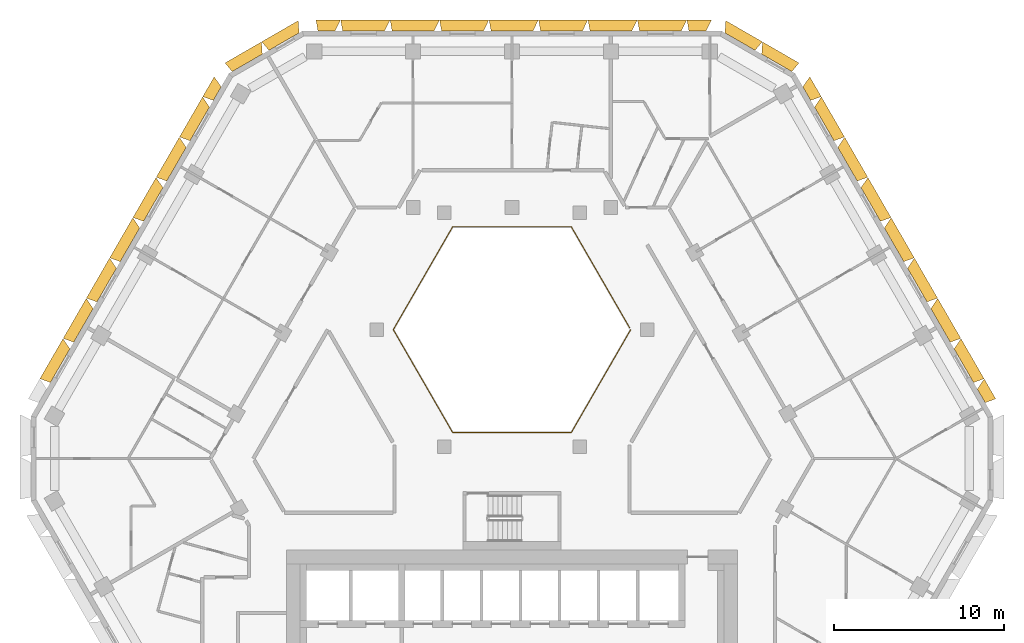
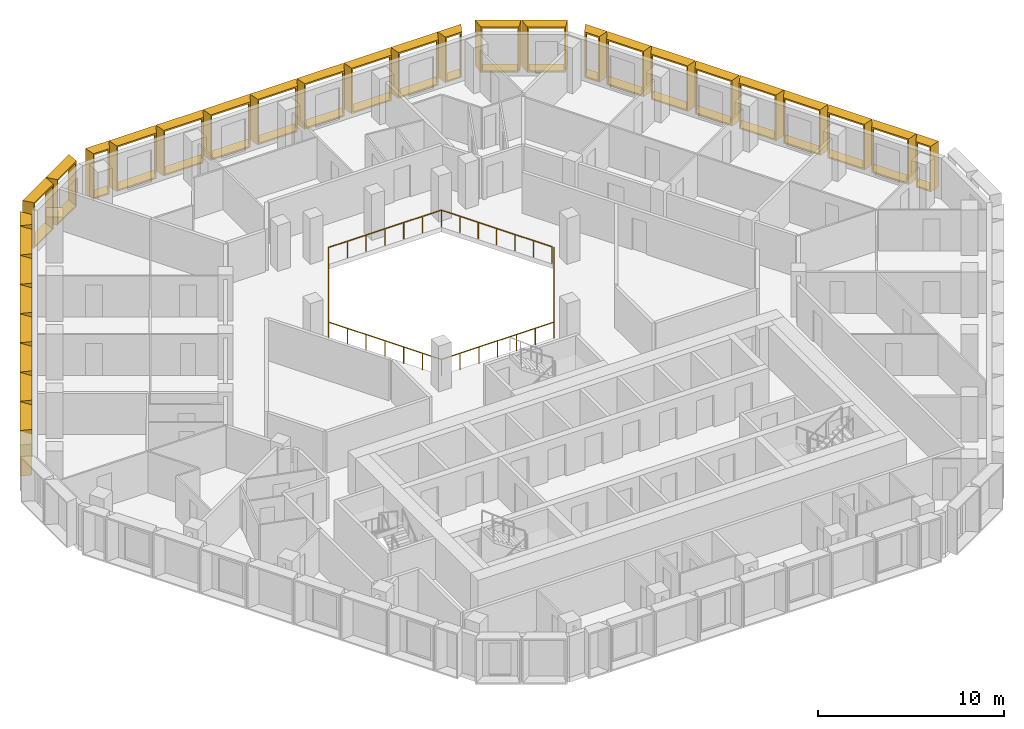
# One storey, part 15 of 15: 30 shading devices, 1 railing.
"""IFC4 building model written with IfcOpenShell, lengths in metres."""

import ifcopenshell
import ifcopenshell.guid

model = None  # the IFC model being written
_history = None  # IfcOwnerHistory: only IFC2X3 demands one
_inside = {}  # id of a spatial element -> (the spatial element, [elements in it])
_under = {}  # id of a project, library or spatial element -> (it, [spatial elements below it])
_declared = {}  # id of a project -> (the project, [libraries it declares])
_typed = {}  # id of a type object -> (the type object, [elements of that type])
_made_of = {}  # id of a material, layer set ... -> (it, [elements and type objects made of it])


def new_model(schema):
    """Start an empty IFC model of exactly this schema.

    Asked for "IFC4X3", IfcOpenShell would pick the latest addendum, in which some entities
    have other attributes; the version numbers below select the first issue.
    IFC2X3 requires an IfcOwnerHistory on every rooted entity: one is made here for all.
    """
    global model, _history
    if schema == "IFC4X3":
        model = ifcopenshell.file(schema_version=(4, 3, 0, 0))
    else:
        model = ifcopenshell.file(schema=schema)
    _inside.clear()
    _under.clear()
    _declared.clear()
    _typed.clear()
    _made_of.clear()
    _history = None
    if model.schema == "IFC2X3":
        org = make("IfcOrganization", Name="unknown")
        user = make(
            "IfcPersonAndOrganization",
            ThePerson=make("IfcPerson", FamilyName="unknown"),
            TheOrganization=org,
        )
        app = make(
            "IfcApplication",
            ApplicationDeveloper=org,
            Version="unknown",
            ApplicationFullName="unknown",
            ApplicationIdentifier="unknown",
        )
        _history = make(
            "IfcOwnerHistory",
            OwningUser=user,
            OwningApplication=app,
            ChangeAction="ADDED",
            CreationDate=0,
        )
    return model


def make(cls, **values):
    """One entity of the class cls with the attributes given. An attribute that is None is left unset."""
    return model.create_entity(
        cls, **{name: value for name, value in values.items() if value is not None}
    )


def entity(cls, *values):
    """Any entity or typed value of the class cls, its attributes in the order of the schema. None: left unset."""
    e = model.create_entity(cls)
    for i, value in enumerate(values):
        if value is not None:
            e[i] = value
    return e


def rooted(cls, **values):
    """An entity with a GlobalId (a new one), such as an element, a storey or a relation."""
    return make(cls, GlobalId=ifcopenshell.guid.new(), OwnerHistory=_history, **values)


def si_unit(unit_type, name, prefix=None):
    """IfcSIUnit, for example si_unit("LENGTHUNIT", "METRE", prefix="MILLI")."""
    return make("IfcSIUnit", UnitType=unit_type, Prefix=prefix, Name=name)


def assignment(units):
    """IfcUnitAssignment: the units of a project."""
    return None if units is None else make("IfcUnitAssignment", Units=units)


def point(xyz):
    """IfcCartesianPoint."""
    return None if xyz is None else make("IfcCartesianPoint", Coordinates=xyz)


def direction(xyz):
    """IfcDirection."""
    return None if xyz is None else make("IfcDirection", DirectionRatios=xyz)


def frame(location, z_axis=None, x_axis=None):
    """IfcAxis2Placement3D, a coordinate frame: its origin and axes. An axis left out is left unset."""
    return make(
        "IfcAxis2Placement3D",
        Location=point(location),
        Axis=direction(z_axis),
        RefDirection=direction(x_axis),
    )


def frame_2d(location, x_axis=None):
    """IfcAxis2Placement2D, a coordinate frame in the plane: its origin and x axis."""
    return make(
        "IfcAxis2Placement2D", Location=point(location), RefDirection=direction(x_axis)
    )


def origin():
    """The frame at (0, 0, 0) with its axes left unset."""
    return frame((0.0, 0.0, 0.0))


def origin_2d():
    """The frame at (0, 0) in the plane with its x axis left unset."""
    return frame_2d((0.0, 0.0))


def place(relative_to, where):
    """IfcLocalPlacement: puts the frame where relative to a parent placement (None: the world)."""
    return make(
        "IfcLocalPlacement", PlacementRelTo=relative_to, RelativePlacement=where
    )


def context(
    kind, dimensions, precision=None, world=None, true_north=None, identifier=None
):
    """IfcGeometricRepresentationContext, for example the 3D "Model" context."""
    return make(
        "IfcGeometricRepresentationContext",
        ContextIdentifier=identifier,
        ContextType=kind,
        CoordinateSpaceDimension=dimensions,
        Precision=precision,
        WorldCoordinateSystem=world,
        TrueNorth=true_north,
    )


def subcontext(parent, identifier, kind, view, scale=None):
    """IfcGeometricRepresentationSubContext, for example "Body" below "Model"."""
    return make(
        "IfcGeometricRepresentationSubContext",
        ContextIdentifier=identifier,
        ContextType=kind,
        ParentContext=parent,
        TargetScale=scale,
        TargetView=view,
    )


def project(units=None, contexts=None):
    """IfcProject with its units and contexts."""
    return rooted(
        "IfcProject",
        Name="project",
        RepresentationContexts=contexts,
        UnitsInContext=assignment(units),
    )


def spatial(cls, under=None, at=None, **own):
    """A site, building, storey or space (cls), placed at a placement, below another one or the project."""
    s = rooted(cls, ObjectPlacement=at, **own)
    if under is not None:
        _under.setdefault(under.id(), (under, []))[1].append(s)
    return s


def profile(cls, at=None, kind="AREA", **sizes):
    """A parametric profile (cls). Its sizes go by their IFC names, for example OverallWidth=200.0."""
    return make(cls, ProfileType=kind, Position=at, **sizes)


def rectangle(**sizes):
    """IfcRectangleProfileDef."""
    return profile("IfcRectangleProfileDef", **sizes)


def extrude(swept, where, along, depth):
    """IfcExtrudedAreaSolid: the profile swept, set in the frame where, extruded along a direction by depth."""
    return make(
        "IfcExtrudedAreaSolid",
        SweptArea=swept,
        Position=where,
        ExtrudedDirection=direction(along),
        Depth=depth,
    )


def shape(context_of_items, identifier, shape_type, items):
    """IfcShapeRepresentation: the items that make up one representation, for example the "Body"."""
    return make(
        "IfcShapeRepresentation",
        ContextOfItems=context_of_items,
        RepresentationIdentifier=identifier,
        RepresentationType=shape_type,
        Items=items,
    )


def source(mapping_origin, context_of_items, identifier, shape_type, items):
    """IfcRepresentationMap: a shape defined once, which mapped items show again and again."""
    return make(
        "IfcRepresentationMap",
        MappingOrigin=mapping_origin,
        MappedRepresentation=shape(context_of_items, identifier, shape_type, items),
    )


def transform(
    local_origin,
    x_axis=None,
    y_axis=None,
    z_axis=None,
    scale=None,
    scale2=None,
    scale3=None,
    uniform=True,
):
    """IfcCartesianTransformationOperator3D, or its non-uniform kind. x_axis, y_axis, z_axis: its Axis1, 2, 3."""
    if uniform:
        return make(
            "IfcCartesianTransformationOperator3D",
            Axis1=direction(x_axis),
            Axis2=direction(y_axis),
            LocalOrigin=point(local_origin),
            Scale=scale,
            Axis3=direction(z_axis),
        )
    return make(
        "IfcCartesianTransformationOperator3DnonUniform",
        Axis1=direction(x_axis),
        Axis2=direction(y_axis),
        LocalOrigin=point(local_origin),
        Scale=scale,
        Axis3=direction(z_axis),
        Scale2=scale2,
        Scale3=scale3,
    )


def mapped(mapping_source, mapping_target):
    """IfcMappedItem: shows the shape of a source again, moved by a transform."""
    return make(
        "IfcMappedItem", MappingSource=mapping_source, MappingTarget=mapping_target
    )


def material(Name=None, Category=None):
    """IfcMaterial."""
    return make("IfcMaterial", Name=Name, Category=Category)


def made_of(thing, what):
    """Note that an element or type object is made of a material, layer set ...; save() writes the relation."""
    if what is not None:
        _made_of.setdefault(what.id(), (what, []))[1].append(thing)
    return thing


def type_object(cls, material=None, **own):
    """A type object (cls), such as IfcWallType, which elements share."""
    return made_of(rooted(cls, **own), material)


def type_shapes(of_type, sources):
    """Give a type object the sources (RepresentationMaps) that its elements show as mapped items."""
    of_type.RepresentationMaps = sources


def element(
    cls,
    number,
    at=None,
    inside=None,
    cuts=None,
    type_object=None,
    material=None,
    context=None,
    identifier="Body",
    shape_type=None,
    held_by="IfcProductDefinitionShape",
    body=None,
    shapes=None,
    **own,
):
    """One element of the class cls, such as IfcWall. Its Tag is "e" and its number.

    at: its placement. inside: the storey or other place that contains it. cuts: it is an
    opening in that element (IfcRelVoidsElement). A single representation is given by context,
    identifier, shape_type and body (its items); several are given by shapes. held_by: the class
    of the entity that holds the representations. save() writes the other relations.
    """
    e = rooted(cls, Tag="e%d" % number, ObjectPlacement=at, **own)
    if body is not None:
        shapes = [shape(context, identifier, shape_type, body)]
    if shapes is not None:
        e.Representation = make(held_by, Representations=shapes)
    if inside is not None:
        _inside.setdefault(inside.id(), (inside, []))[1].append(e)
    if cuts is not None:
        rooted(
            "IfcRelVoidsElement", RelatingBuildingElement=cuts, RelatedOpeningElement=e
        )
    if type_object is not None:
        _typed.setdefault(type_object.id(), (type_object, []))[1].append(e)
    return made_of(e, material)


def aggregate(whole, parts):
    """IfcRelAggregates: a whole, such as a stair, and the parts it consists of."""
    return rooted("IfcRelAggregates", RelatingObject=whole, RelatedObjects=parts)


def save(model, path):
    """Write the relations noted so far, then the file.

    IfcRelAggregates (storeys below a building ...), IfcRelContainedInSpatialStructure (elements
    in a storey), IfcRelDefinesByType, IfcRelAssociatesMaterial and IfcRelDeclares: one each for
    every whole, place, type object, material and project.
    """
    for whole, parts in _under.values():
        aggregate(whole, parts)
    for where, things in _inside.values():
        rooted(
            "IfcRelContainedInSpatialStructure",
            RelatedElements=things,
            RelatingStructure=where,
        )
    for kind, things in _typed.values():
        rooted("IfcRelDefinesByType", RelatedObjects=things, RelatingType=kind)
    for what, things in _made_of.values():
        rooted("IfcRelAssociatesMaterial", RelatedObjects=things, RelatingMaterial=what)
    for by, libraries in _declared.values():
        rooted("IfcRelDeclares", RelatingContext=by, RelatedDefinitions=libraries)
    model.write(path)


model = new_model("IFC4")

# Units and contexts
model_context = context("Model", 3, precision=1e-05, world=origin(), true_north=direction((0.0, 1.0)))
body_context = subcontext(model_context, "Body", "Model", "MODEL_VIEW")
ifc_project = project(units=[si_unit("LENGTHUNIT", "METRE"), si_unit("AREAUNIT", "SQUARE_METRE"), si_unit("VOLUMEUNIT", "CUBIC_METRE"), si_unit("PLANEANGLEUNIT", "RADIAN"), si_unit("MASSUNIT", "GRAM", prefix="KILO")], contexts=[model_context])

# Site, building, storey
site_placement = place(None, origin())
site = spatial("IfcSite", under=ifc_project, at=site_placement, CompositionType="ELEMENT")
building_placement = place(site_placement, origin())
building = spatial("IfcBuilding", under=site, at=building_placement, Name="Beryl Residences", CompositionType="ELEMENT")
storey_placement = place(building_placement, frame((0.0, 0.0, 129.60009765625)))
storey = spatial("IfcBuildingStorey", under=building, at=storey_placement, Name="L39", CompositionType="ELEMENT", Elevation=129.60009765625)

# Railing
ifc_material_1 = material(Name="Stainless steel balustrade with glass infill", Category="steel")
railing_type = type_object("IfcRailingType", Name="EG1 edge guard 1100 mm", PredefinedType="GUARDRAIL", material=ifc_material_1)
railing_placement = place(storey_placement, frame((6.9970703125, 8.0, 0.0)))
element("IfcRailing", 1, at=railing_placement, inside=storey, type_object=railing_type, Name="L39 atrium guard", PredefinedType="GUARDRAIL", context=body_context, shape_type="SweptSolid", body=[
    extrude(rectangle(XDim=0.048095703125, YDim=0.048095703125, at=origin_2d()), frame((0.0, 0.0, 1.076171875), z_axis=(-0.499921796684, -0.866070549782, 0.0), x_axis=(0.866070549782, -0.499921796684, 0.0)), (0.0, 0.0, 1.0), 6.9970703125),
    extrude(rectangle(XDim=0.048095703125, YDim=0.048095703125, at=origin_2d()), frame((-3.498046875, -6.06005859375, 1.076171875), z_axis=(-1.0, 0.0, 0.0), x_axis=(0.0, -1.0, 0.0)), (0.0, 0.0, 1.0), 6.998046875),
    extrude(rectangle(XDim=0.048095703125, YDim=0.048095703125, at=origin_2d()), frame((-10.49609375, -6.06005859375, 1.076171875), z_axis=(-0.499921796684, 0.866070549782, 0.0), x_axis=(-0.866070549782, -0.499921796684, 0.0)), (0.0, 0.0, 1.0), 6.9970703125),
    extrude(rectangle(XDim=0.048095703125, YDim=0.048095703125, at=origin_2d()), frame((-13.994140625, 0.0, 1.076171875), z_axis=(0.499921796684, 0.866070549782, 0.0), x_axis=(-0.866070549782, 0.499921796684, 0.0)), (0.0, 0.0, 1.0), 6.9970703125),
    extrude(rectangle(XDim=0.048095703125, YDim=0.048095703125, at=origin_2d()), frame((-10.49609375, 6.06005859375, 1.076171875), z_axis=(1.0, 0.0, 0.0), x_axis=(0.0, 1.0, 0.0)), (0.0, 0.0, 1.0), 6.998046875),
    extrude(rectangle(XDim=0.048095703125, YDim=0.048095703125, at=origin_2d()), frame((-3.498046875, 6.06005859375, 1.076171875), z_axis=(0.499919131929, -0.866072087953, 0.0), x_axis=(0.866072087953, 0.499919131929, 0.0)), (0.0, 0.0, 1.0), 6.877197265625),
    extrude(rectangle(XDim=0.0419921875, YDim=0.0419921875, at=origin_2d()), origin(), (0.0, 0.0, 1.0), 1.052001953125),
    extrude(rectangle(XDim=0.0419921875, YDim=0.0419921875, at=origin_2d()), frame((-0.5830078125, -1.010009765625, 0.0)), (0.0, 0.0, 1.0), 1.052001953125),
    extrude(rectangle(XDim=0.0419921875, YDim=0.0419921875, at=origin_2d()), frame((-1.166015625, -2.02001953125, 0.0)), (0.0, 0.0, 1.0), 1.052001953125),
    extrude(rectangle(XDim=0.0419921875, YDim=0.0419921875, at=origin_2d()), frame((-1.7490234375, -3.030029296875, 0.0)), (0.0, 0.0, 1.0), 1.052001953125),
    extrude(rectangle(XDim=0.0419921875, YDim=0.0419921875, at=origin_2d()), frame((-2.33203125, -4.0400390625, 0.0)), (0.0, 0.0, 1.0), 1.052001953125),
    extrude(rectangle(XDim=0.0419921875, YDim=0.0419921875, at=origin_2d()), frame((-2.9150390625, -5.050048828125, 0.0)), (0.0, 0.0, 1.0), 1.052001953125),
    extrude(rectangle(XDim=0.0419921875, YDim=0.0419921875, at=origin_2d()), frame((-3.498046875, -6.06005859375, 0.0)), (0.0, 0.0, 1.0), 1.052001953125),
    extrude(rectangle(XDim=0.0419921875, YDim=0.0419921875, at=origin_2d()), frame((-4.664306640625, -6.06005859375, 0.0)), (0.0, 0.0, 1.0), 1.052001953125),
    extrude(rectangle(XDim=0.0419921875, YDim=0.0419921875, at=origin_2d()), frame((-5.830810546875, -6.06005859375, 0.0)), (0.0, 0.0, 1.0), 1.052001953125),
    extrude(rectangle(XDim=0.0419921875, YDim=0.0419921875, at=origin_2d()), frame((-6.9970703125, -6.06005859375, 0.0)), (0.0, 0.0, 1.0), 1.052001953125),
    extrude(rectangle(XDim=0.0419921875, YDim=0.0419921875, at=origin_2d()), frame((-8.163330078125, -6.06005859375, 0.0)), (0.0, 0.0, 1.0), 1.052001953125),
    extrude(rectangle(XDim=0.0419921875, YDim=0.0419921875, at=origin_2d()), frame((-9.329833984375, -6.06005859375, 0.0)), (0.0, 0.0, 1.0), 1.052001953125),
    extrude(rectangle(XDim=0.0419921875, YDim=0.0419921875, at=origin_2d()), frame((-10.49609375, -6.06005859375, 0.0)), (0.0, 0.0, 1.0), 1.052001953125),
    extrude(rectangle(XDim=0.0419921875, YDim=0.0419921875, at=origin_2d()), frame((-11.0791015625, -5.050048828125, 0.0)), (0.0, 0.0, 1.0), 1.052001953125),
    extrude(rectangle(XDim=0.0419921875, YDim=0.0419921875, at=origin_2d()), frame((-11.662109375, -4.0400390625, 0.0)), (0.0, 0.0, 1.0), 1.052001953125),
    extrude(rectangle(XDim=0.0419921875, YDim=0.0419921875, at=origin_2d()), frame((-12.2451171875, -3.030029296875, 0.0)), (0.0, 0.0, 1.0), 1.052001953125),
    extrude(rectangle(XDim=0.0419921875, YDim=0.0419921875, at=origin_2d()), frame((-12.828125, -2.02001953125, 0.0)), (0.0, 0.0, 1.0), 1.052001953125),
    extrude(rectangle(XDim=0.0419921875, YDim=0.0419921875, at=origin_2d()), frame((-13.4111328125, -1.010009765625, 0.0)), (0.0, 0.0, 1.0), 1.052001953125),
    extrude(rectangle(XDim=0.0419921875, YDim=0.0419921875, at=origin_2d()), frame((-13.994140625, 0.0, 0.0)), (0.0, 0.0, 1.0), 1.052001953125),
    extrude(rectangle(XDim=0.0419921875, YDim=0.0419921875, at=origin_2d()), frame((-13.4111328125, 1.010009765625, 0.0)), (0.0, 0.0, 1.0), 1.052001953125),
    extrude(rectangle(XDim=0.0419921875, YDim=0.0419921875, at=origin_2d()), frame((-12.828125, 2.02001953125, 0.0)), (0.0, 0.0, 1.0), 1.052001953125),
    extrude(rectangle(XDim=0.0419921875, YDim=0.0419921875, at=origin_2d()), frame((-12.2451171875, 3.030029296875, 0.0)), (0.0, 0.0, 1.0), 1.052001953125),
    extrude(rectangle(XDim=0.0419921875, YDim=0.0419921875, at=origin_2d()), frame((-11.662109375, 4.0400390625, 0.0)), (0.0, 0.0, 1.0), 1.052001953125),
    extrude(rectangle(XDim=0.0419921875, YDim=0.0419921875, at=origin_2d()), frame((-11.0791015625, 5.050048828125, 0.0)), (0.0, 0.0, 1.0), 1.052001953125),
    extrude(rectangle(XDim=0.0419921875, YDim=0.0419921875, at=origin_2d()), frame((-10.49609375, 6.06005859375, 0.0)), (0.0, 0.0, 1.0), 1.052001953125),
    extrude(rectangle(XDim=0.0419921875, YDim=0.0419921875, at=origin_2d()), frame((-9.329833984375, 6.06005859375, 0.0)), (0.0, 0.0, 1.0), 1.052001953125),
    extrude(rectangle(XDim=0.0419921875, YDim=0.0419921875, at=origin_2d()), frame((-8.163330078125, 6.06005859375, 0.0)), (0.0, 0.0, 1.0), 1.052001953125),
    extrude(rectangle(XDim=0.0419921875, YDim=0.0419921875, at=origin_2d()), frame((-6.9970703125, 6.06005859375, 0.0)), (0.0, 0.0, 1.0), 1.052001953125),
    extrude(rectangle(XDim=0.0419921875, YDim=0.0419921875, at=origin_2d()), frame((-5.830810546875, 6.06005859375, 0.0)), (0.0, 0.0, 1.0), 1.052001953125),
    extrude(rectangle(XDim=0.0419921875, YDim=0.0419921875, at=origin_2d()), frame((-4.664306640625, 6.06005859375, 0.0)), (0.0, 0.0, 1.0), 1.052001953125),
    extrude(rectangle(XDim=0.0419921875, YDim=0.0419921875, at=origin_2d()), frame((-3.498046875, 6.06005859375, 0.0)), (0.0, 0.0, 1.0), 1.052001953125),
    extrude(rectangle(XDim=0.0419921875, YDim=0.0419921875, at=origin_2d()), frame((-2.925048828125, 5.0673828125, 0.0)), (0.0, 0.0, 1.0), 1.052001953125),
    extrude(rectangle(XDim=0.0419921875, YDim=0.0419921875, at=origin_2d()), frame((-2.35205078125, 4.07470703125, 0.0)), (0.0, 0.0, 1.0), 1.052001953125),
    extrude(rectangle(XDim=0.0419921875, YDim=0.0419921875, at=origin_2d()), frame((-1.779052734375, 3.08203125, 0.0)), (0.0, 0.0, 1.0), 1.052001953125),
    extrude(rectangle(XDim=0.0419921875, YDim=0.0419921875, at=origin_2d()), frame((-1.2060546875, 2.08935546875, 0.0)), (0.0, 0.0, 1.0), 1.052001953125),
    extrude(rectangle(XDim=0.0419921875, YDim=0.0419921875, at=origin_2d()), frame((-0.633056640625, 1.0966796875, 0.0)), (0.0, 0.0, 1.0), 1.052001953125),
    extrude(rectangle(XDim=0.0419921875, YDim=0.0419921875, at=origin_2d()), frame((-0.06005859375, 0.10400390625, 0.0)), (0.0, 0.0, 1.0), 1.052001953125),
])

# Shading devices
ifc_material_2 = material(Name="Aluminium pale anodised", Category="aluminium")
shading_device_type_1 = type_object("IfcShadingDeviceType", Name="FR137-65B OUTER SKIN frame 650 mm deep, splay 26/10 deg, 1370 x 3000 mm cell", PredefinedType="USERDEFINED", material=ifc_material_2)
cartesian_point_1 = entity("IfcCartesianPoint", [-0.458984375, 0.0])
cartesian_point_2 = entity("IfcCartesianPoint", [-0.369873046875, 0.10009765625])
cartesian_point_3 = entity("IfcCartesianPoint", [-0.776123046875, 0.0])
cartesian_point_4 = entity("IfcCartesianPoint", [-0.68701171875, 0.10009765625])
shared_shape_1 = source(origin(), body_context, "Body", "SweptSolid", [
    entity("IfcExtrudedAreaSolidTapered", entity("IfcArbitraryProfileDefWithVoids", "AREA", None, entity("IfcPolyline", [cartesian_point_1, entity("IfcCartesianPoint", [0.458984375, 0.0]), entity("IfcCartesianPoint", [0.458984375, 3.0]), entity("IfcCartesianPoint", [-0.458984375, 3.0]), cartesian_point_1]), [entity("IfcPolyline", [cartesian_point_2, entity("IfcCartesianPoint", [0.377685546875, 0.10009765625]), entity("IfcCartesianPoint", [0.377685546875, 2.89990234375]), entity("IfcCartesianPoint", [-0.369873046875, 2.89990234375]), cartesian_point_2])]), entity("IfcAxis2Placement3D", entity("IfcCartesianPoint", [0.0, 0.0, 0.0]), entity("IfcDirection", [0.0, 1.0, 0.0]), entity("IfcDirection", [-1.0, 0.0, 0.0])), entity("IfcDirection", [0.0, 0.0, 1.0]), 0.64990234375, entity("IfcArbitraryProfileDefWithVoids", "AREA", None, entity("IfcPolyline", [cartesian_point_3, entity("IfcCartesianPoint", [0.57373046875, 0.0]), entity("IfcCartesianPoint", [0.57373046875, 3.0]), entity("IfcCartesianPoint", [-0.776123046875, 3.0]), cartesian_point_3]), [entity("IfcPolyline", [cartesian_point_4, entity("IfcCartesianPoint", [0.492431640625, 0.10009765625]), entity("IfcCartesianPoint", [0.492431640625, 2.89990234375]), entity("IfcCartesianPoint", [-0.68701171875, 2.89990234375]), cartesian_point_4])])),
])
type_shapes(shading_device_type_1, [shared_shape_1])
shading_device_placement = place(storey_placement, frame((-17.375, 21.906982421875, 0.0), z_axis=(0.0, 0.0, 1.0), x_axis=(0.5, 0.866025403784, 0.0)))
element("IfcShadingDevice", 2, at=shading_device_placement, inside=storey, type_object=shading_device_type_1, Name="FR137-65B frame L39 NW 1", ObjectType="OUTER SKIN", PredefinedType="USERDEFINED", context=body_context, shape_type="MappedRepresentation", body=[
    mapped(shared_shape_1, transform((0.0, 0.0, 0.0))),
])
ifc_material_3 = material(Name="Aluminium pale anodised", Category="aluminium")
shading_device_type_2 = type_object("IfcShadingDeviceType", Name="FR137-65C OUTER SKIN frame 650 mm deep, splay 10/26 deg, 1370 x 3000 mm cell", PredefinedType="USERDEFINED", material=ifc_material_3)
cartesian_point_5 = entity("IfcCartesianPoint", [-0.458984375, 0.0])
cartesian_point_6 = entity("IfcCartesianPoint", [-0.377685546875, 0.10009765625])
cartesian_point_7 = entity("IfcCartesianPoint", [-0.57373046875, 0.0])
cartesian_point_8 = entity("IfcCartesianPoint", [-0.492431640625, 0.10009765625])
shared_shape_2 = source(origin(), body_context, "Body", "SweptSolid", [
    entity("IfcExtrudedAreaSolidTapered", entity("IfcArbitraryProfileDefWithVoids", "AREA", None, entity("IfcPolyline", [cartesian_point_5, entity("IfcCartesianPoint", [0.458984375, 0.0]), entity("IfcCartesianPoint", [0.458984375, 3.0]), entity("IfcCartesianPoint", [-0.458984375, 3.0]), cartesian_point_5]), [entity("IfcPolyline", [cartesian_point_6, entity("IfcCartesianPoint", [0.369873046875, 0.10009765625]), entity("IfcCartesianPoint", [0.369873046875, 2.89990234375]), entity("IfcCartesianPoint", [-0.377685546875, 2.89990234375]), cartesian_point_6])]), entity("IfcAxis2Placement3D", entity("IfcCartesianPoint", [0.0, 0.0, 0.0]), entity("IfcDirection", [0.0, 1.0, 0.0]), entity("IfcDirection", [-1.0, 0.0, 0.0])), entity("IfcDirection", [0.0, 0.0, 1.0]), 0.64990234375, entity("IfcArbitraryProfileDefWithVoids", "AREA", None, entity("IfcPolyline", [cartesian_point_7, entity("IfcCartesianPoint", [0.776123046875, 0.0]), entity("IfcCartesianPoint", [0.776123046875, 3.0]), entity("IfcCartesianPoint", [-0.57373046875, 3.0]), cartesian_point_7]), [entity("IfcPolyline", [cartesian_point_8, entity("IfcCartesianPoint", [0.68701171875, 0.10009765625]), entity("IfcCartesianPoint", [0.68701171875, 2.89990234375]), entity("IfcCartesianPoint", [-0.492431640625, 2.89990234375]), cartesian_point_8])])),
])
type_shapes(shading_device_type_2, [shared_shape_2])
for number, where, z_axis, x_axis, name in (
    (3, (27.658935546875, 4.093017578125, 0.0), (0.0, 0.0, 1.0), (0.5, -0.866025403784, 0.0), "FR137-65C frame L39 NE 1"),
    (4, (17.375, 21.906982421875, 0.0), (0.0, 0.0, 1.0), (0.5, -0.866025403784, 0.0), "FR137-65C frame L39 NE 9"),
):
    element("IfcShadingDevice", number, at=place(storey_placement, frame(where, z_axis=z_axis, x_axis=x_axis)), inside=storey, type_object=shading_device_type_2, Name=name, ObjectType="OUTER SKIN", PredefinedType="USERDEFINED", context=body_context, shape_type="MappedRepresentation", body=[
        mapped(shared_shape_2, transform((0.0, 0.0, 0.0))),
    ])
ifc_material_4 = material(Name="Aluminium pale anodised", Category="aluminium")
shading_device_type_3 = type_object("IfcShadingDeviceType", Name="FR146-65B OUTER SKIN frame 650 mm deep, splay 26/10 deg, 1460 x 3000 mm cell", PredefinedType="USERDEFINED", material=ifc_material_4)
cartesian_point_9 = entity("IfcCartesianPoint", [-0.50390625, 0.0])
cartesian_point_10 = entity("IfcCartesianPoint", [-0.4150390625, 0.10009765625])
cartesian_point_11 = entity("IfcCartesianPoint", [-0.821044921875, 0.0])
cartesian_point_12 = entity("IfcCartesianPoint", [-0.73193359375, 0.10009765625])
shared_shape_3 = source(origin(), body_context, "Body", "SweptSolid", [
    entity("IfcExtrudedAreaSolidTapered", entity("IfcArbitraryProfileDefWithVoids", "AREA", None, entity("IfcPolyline", [cartesian_point_9, entity("IfcCartesianPoint", [0.50390625, 0.0]), entity("IfcCartesianPoint", [0.50390625, 3.0]), entity("IfcCartesianPoint", [-0.50390625, 3.0]), cartesian_point_9]), [entity("IfcPolyline", [cartesian_point_10, entity("IfcCartesianPoint", [0.4228515625, 0.10009765625]), entity("IfcCartesianPoint", [0.4228515625, 2.89990234375]), entity("IfcCartesianPoint", [-0.4150390625, 2.89990234375]), cartesian_point_10])]), entity("IfcAxis2Placement3D", entity("IfcCartesianPoint", [0.0, 0.0, 0.0]), entity("IfcDirection", [0.0, 1.0, 0.0]), entity("IfcDirection", [-1.0, 0.0, 0.0])), entity("IfcDirection", [0.0, 0.0, 1.0]), 0.64990234375, entity("IfcArbitraryProfileDefWithVoids", "AREA", None, entity("IfcPolyline", [cartesian_point_11, entity("IfcCartesianPoint", [0.61865234375, 0.0]), entity("IfcCartesianPoint", [0.61865234375, 3.0]), entity("IfcCartesianPoint", [-0.821044921875, 3.0]), cartesian_point_11]), [entity("IfcPolyline", [cartesian_point_12, entity("IfcCartesianPoint", [0.537353515625, 0.10009765625]), entity("IfcCartesianPoint", [0.537353515625, 2.89990234375]), entity("IfcCartesianPoint", [-0.73193359375, 2.89990234375]), cartesian_point_12])])),
])
type_shapes(shading_device_type_3, [shared_shape_3])
for number, where, z_axis, x_axis, name in (
    (5, (10.93310546875, 25.60009765625, 0.0), (0.0, 0.0, 1.0), (1.0, 0.0, 0.0), "FR146-65B frame L39 N 1"),
    (6, (-10.93310546875, 25.60009765625, 0.0), (0.0, 0.0, 1.0), (1.0, 0.0, 0.0), "FR146-65B frame L39 N 9"),
):
    element("IfcShadingDevice", number, at=place(storey_placement, frame(where, z_axis=z_axis, x_axis=x_axis)), inside=storey, type_object=shading_device_type_3, Name=name, ObjectType="OUTER SKIN", PredefinedType="USERDEFINED", context=body_context, shape_type="MappedRepresentation", body=[
        mapped(shared_shape_3, transform((0.0, 0.0, 0.0))),
    ])
ifc_material_5 = material(Name="Aluminium pale anodised", Category="aluminium")
shading_device_type_4 = type_object("IfcShadingDeviceType", Name="FR250-65B OUTER SKIN frame 650 mm deep, splay 26/10 deg, 2500 x 3000 mm cell", PredefinedType="USERDEFINED", material=ifc_material_5)
cartesian_point_13 = entity("IfcCartesianPoint", [-1.02392578125, 0.0])
cartesian_point_14 = entity("IfcCartesianPoint", [-0.93505859375, 0.10009765625])
cartesian_point_15 = entity("IfcCartesianPoint", [-1.341064453125, 0.0])
cartesian_point_16 = entity("IfcCartesianPoint", [-1.251953125, 0.10009765625])
shared_shape_4 = source(origin(), body_context, "Body", "SweptSolid", [
    entity("IfcExtrudedAreaSolidTapered", entity("IfcArbitraryProfileDefWithVoids", "AREA", None, entity("IfcPolyline", [cartesian_point_13, entity("IfcCartesianPoint", [1.02392578125, 0.0]), entity("IfcCartesianPoint", [1.02392578125, 3.0]), entity("IfcCartesianPoint", [-1.02392578125, 3.0]), cartesian_point_13]), [entity("IfcPolyline", [cartesian_point_14, entity("IfcCartesianPoint", [0.94287109375, 0.10009765625]), entity("IfcCartesianPoint", [0.94287109375, 2.89990234375]), entity("IfcCartesianPoint", [-0.93505859375, 2.89990234375]), cartesian_point_14])]), entity("IfcAxis2Placement3D", entity("IfcCartesianPoint", [0.0, 0.0, 0.0]), entity("IfcDirection", [0.0, 1.0, 0.0]), entity("IfcDirection", [-1.0, 0.0, 0.0])), entity("IfcDirection", [0.0, 0.0, 1.0]), 0.64990234375, entity("IfcArbitraryProfileDefWithVoids", "AREA", None, entity("IfcPolyline", [cartesian_point_15, entity("IfcCartesianPoint", [1.138671875, 0.0]), entity("IfcCartesianPoint", [1.138671875, 3.0]), entity("IfcCartesianPoint", [-1.341064453125, 3.0]), cartesian_point_15]), [entity("IfcPolyline", [cartesian_point_16, entity("IfcCartesianPoint", [1.057373046875, 0.10009765625]), entity("IfcCartesianPoint", [1.057373046875, 2.89990234375]), entity("IfcCartesianPoint", [-1.251953125, 2.89990234375]), cartesian_point_16])])),
])
type_shapes(shading_device_type_4, [shared_shape_4])
for number, where, z_axis, x_axis, name in (
    (7, (-13.43798828125, 24.97509765625, 0.0), (0.0, 0.0, 1.0), (0.866025403784, 0.5, 0.0), "FR250-65B frame L39 N-NW 1"),
    (8, (-15.60205078125, 23.72509765625, 0.0), (0.0, 0.0, 1.0), (0.866025403784, 0.5, 0.0), "FR250-65B frame L39 N-NW 2"),
):
    element("IfcShadingDevice", number, at=place(storey_placement, frame(where, z_axis=z_axis, x_axis=x_axis)), inside=storey, type_object=shading_device_type_4, Name=name, ObjectType="OUTER SKIN", PredefinedType="USERDEFINED", context=body_context, shape_type="MappedRepresentation", body=[
        mapped(shared_shape_4, transform((0.0, 0.0, 0.0))),
    ])
ifc_material_6 = material(Name="Aluminium pale anodised", Category="aluminium")
shading_device_type_5 = type_object("IfcShadingDeviceType", Name="FR250-65C OUTER SKIN frame 650 mm deep, splay 10/26 deg, 2500 x 3000 mm cell", PredefinedType="USERDEFINED", material=ifc_material_6)
cartesian_point_17 = entity("IfcCartesianPoint", [-1.02392578125, 0.0])
cartesian_point_18 = entity("IfcCartesianPoint", [-0.94287109375, 0.10009765625])
cartesian_point_19 = entity("IfcCartesianPoint", [-1.138671875, 0.0])
cartesian_point_20 = entity("IfcCartesianPoint", [-1.057373046875, 0.10009765625])
shared_shape_5 = source(origin(), body_context, "Body", "SweptSolid", [
    entity("IfcExtrudedAreaSolidTapered", entity("IfcArbitraryProfileDefWithVoids", "AREA", None, entity("IfcPolyline", [cartesian_point_17, entity("IfcCartesianPoint", [1.02392578125, 0.0]), entity("IfcCartesianPoint", [1.02392578125, 3.0]), entity("IfcCartesianPoint", [-1.02392578125, 3.0]), cartesian_point_17]), [entity("IfcPolyline", [cartesian_point_18, entity("IfcCartesianPoint", [0.93505859375, 0.10009765625]), entity("IfcCartesianPoint", [0.93505859375, 2.89990234375]), entity("IfcCartesianPoint", [-0.94287109375, 2.89990234375]), cartesian_point_18])]), entity("IfcAxis2Placement3D", entity("IfcCartesianPoint", [0.0, 0.0, 0.0]), entity("IfcDirection", [0.0, 1.0, 0.0]), entity("IfcDirection", [-1.0, 0.0, 0.0])), entity("IfcDirection", [0.0, 0.0, 1.0]), 0.64990234375, entity("IfcArbitraryProfileDefWithVoids", "AREA", None, entity("IfcPolyline", [cartesian_point_19, entity("IfcCartesianPoint", [1.341064453125, 0.0]), entity("IfcCartesianPoint", [1.341064453125, 3.0]), entity("IfcCartesianPoint", [-1.138671875, 3.0]), cartesian_point_19]), [entity("IfcPolyline", [cartesian_point_20, entity("IfcCartesianPoint", [1.251953125, 0.10009765625]), entity("IfcCartesianPoint", [1.251953125, 2.89990234375]), entity("IfcCartesianPoint", [-1.057373046875, 2.89990234375]), cartesian_point_20])])),
])
type_shapes(shading_device_type_5, [shared_shape_5])
for number, where, z_axis, x_axis, name in (
    (9, (15.60205078125, 23.72509765625, 0.0), (0.0, 0.0, 1.0), (0.866025403784, -0.5, 0.0), "FR250-65C frame L39 NE-N 1"),
    (10, (13.43798828125, 24.97509765625, 0.0), (0.0, 0.0, 1.0), (0.866025403784, -0.5, 0.0), "FR250-65C frame L39 NE-N 2"),
):
    element("IfcShadingDevice", number, at=place(storey_placement, frame(where, z_axis=z_axis, x_axis=x_axis)), inside=storey, type_object=shading_device_type_5, Name=name, ObjectType="OUTER SKIN", PredefinedType="USERDEFINED", context=body_context, shape_type="MappedRepresentation", body=[
        mapped(shared_shape_5, transform((0.0, 0.0, 0.0))),
    ])
ifc_material_7 = material(Name="Aluminium pale anodised", Category="aluminium")
shading_device_type_6 = type_object("IfcShadingDeviceType", Name="FR274-65B OUTER SKIN frame 650 mm deep, splay 26/10 deg, 2740 x 3000 mm cell", PredefinedType="USERDEFINED", material=ifc_material_7)
cartesian_point_21 = entity("IfcCartesianPoint", [-1.14404296875, 0.0])
cartesian_point_22 = entity("IfcCartesianPoint", [-1.054931640625, 0.10009765625])
cartesian_point_23 = entity("IfcCartesianPoint", [-1.4609375, 0.0])
cartesian_point_24 = entity("IfcCartesianPoint", [-1.3720703125, 0.10009765625])
shared_shape_6 = source(origin(), body_context, "Body", "SweptSolid", [
    entity("IfcExtrudedAreaSolidTapered", entity("IfcArbitraryProfileDefWithVoids", "AREA", None, entity("IfcPolyline", [cartesian_point_21, entity("IfcCartesianPoint", [1.14404296875, 0.0]), entity("IfcCartesianPoint", [1.14404296875, 3.0]), entity("IfcCartesianPoint", [-1.14404296875, 3.0]), cartesian_point_21]), [entity("IfcPolyline", [cartesian_point_22, entity("IfcCartesianPoint", [1.062744140625, 0.10009765625]), entity("IfcCartesianPoint", [1.062744140625, 2.89990234375]), entity("IfcCartesianPoint", [-1.054931640625, 2.89990234375]), cartesian_point_22])]), entity("IfcAxis2Placement3D", entity("IfcCartesianPoint", [0.0, 0.0, 0.0]), entity("IfcDirection", [0.0, 1.0, 0.0]), entity("IfcDirection", [-1.0, 0.0, 0.0])), entity("IfcDirection", [0.0, 0.0, 1.0]), 0.64990234375, entity("IfcArbitraryProfileDefWithVoids", "AREA", None, entity("IfcPolyline", [cartesian_point_23, entity("IfcCartesianPoint", [1.258544921875, 0.0]), entity("IfcCartesianPoint", [1.258544921875, 3.0]), entity("IfcCartesianPoint", [-1.4609375, 3.0]), cartesian_point_23]), [entity("IfcPolyline", [cartesian_point_24, entity("IfcCartesianPoint", [1.177490234375, 0.10009765625]), entity("IfcCartesianPoint", [1.177490234375, 2.89990234375]), entity("IfcCartesianPoint", [-1.3720703125, 2.89990234375]), cartesian_point_24])])),
])
type_shapes(shading_device_type_6, [shared_shape_6])
for number, where, z_axis, x_axis, name in (
    (11, (-18.403076171875, 20.125, 0.0), (0.0, 0.0, 1.0), (0.5, 0.866025403784, 0.0), "FR274-65B frame L39 NW 2"),
    (12, (-19.77490234375, 17.75, 0.0), (0.0, 0.0, 1.0), (0.5, 0.866025403784, 0.0), "FR274-65B frame L39 NW 3"),
    (13, (-21.14599609375, 15.375, 0.0), (0.0, 0.0, 1.0), (0.5, 0.866025403784, 0.0), "FR274-65B frame L39 NW 4"),
    (14, (-22.51708984375, 13.0, 0.0), (0.0, 0.0, 1.0), (0.5, 0.866025403784, 0.0), "FR274-65B frame L39 NW 5"),
    (15, (-23.887939453125, 10.625, 0.0), (0.0, 0.0, 1.0), (0.5, 0.866025403784, 0.0), "FR274-65B frame L39 NW 6"),
    (16, (-25.259033203125, 8.25, 0.0), (0.0, 0.0, 1.0), (0.5, 0.866025403784, 0.0), "FR274-65B frame L39 NW 7"),
    (17, (-26.631103515625, 5.875, 0.0), (0.0, 0.0, 1.0), (0.5, 0.866025403784, 0.0), "FR274-65B frame L39 NW 8"),
):
    element("IfcShadingDevice", number, at=place(storey_placement, frame(where, z_axis=z_axis, x_axis=x_axis)), inside=storey, type_object=shading_device_type_6, Name=name, ObjectType="OUTER SKIN", PredefinedType="USERDEFINED", context=body_context, shape_type="MappedRepresentation", body=[
        mapped(shared_shape_6, transform((0.0, 0.0, 0.0))),
    ])
ifc_material_8 = material(Name="Aluminium pale anodised", Category="aluminium")
shading_device_type_7 = type_object("IfcShadingDeviceType", Name="FR274-65C OUTER SKIN frame 650 mm deep, splay 10/26 deg, 2740 x 3000 mm cell", PredefinedType="USERDEFINED", material=ifc_material_8)
cartesian_point_25 = entity("IfcCartesianPoint", [-1.14404296875, 0.0])
cartesian_point_26 = entity("IfcCartesianPoint", [-1.062744140625, 0.10009765625])
cartesian_point_27 = entity("IfcCartesianPoint", [-1.258544921875, 0.0])
cartesian_point_28 = entity("IfcCartesianPoint", [-1.177490234375, 0.10009765625])
shared_shape_7 = source(origin(), body_context, "Body", "SweptSolid", [
    entity("IfcExtrudedAreaSolidTapered", entity("IfcArbitraryProfileDefWithVoids", "AREA", None, entity("IfcPolyline", [cartesian_point_25, entity("IfcCartesianPoint", [1.14404296875, 0.0]), entity("IfcCartesianPoint", [1.14404296875, 3.0]), entity("IfcCartesianPoint", [-1.14404296875, 3.0]), cartesian_point_25]), [entity("IfcPolyline", [cartesian_point_26, entity("IfcCartesianPoint", [1.054931640625, 0.10009765625]), entity("IfcCartesianPoint", [1.054931640625, 2.89990234375]), entity("IfcCartesianPoint", [-1.062744140625, 2.89990234375]), cartesian_point_26])]), entity("IfcAxis2Placement3D", entity("IfcCartesianPoint", [0.0, 0.0, 0.0]), entity("IfcDirection", [0.0, 1.0, 0.0]), entity("IfcDirection", [-1.0, 0.0, 0.0])), entity("IfcDirection", [0.0, 0.0, 1.0]), 0.64990234375, entity("IfcArbitraryProfileDefWithVoids", "AREA", None, entity("IfcPolyline", [cartesian_point_27, entity("IfcCartesianPoint", [1.4609375, 0.0]), entity("IfcCartesianPoint", [1.4609375, 3.0]), entity("IfcCartesianPoint", [-1.258544921875, 3.0]), cartesian_point_27]), [entity("IfcPolyline", [cartesian_point_28, entity("IfcCartesianPoint", [1.3720703125, 0.10009765625]), entity("IfcCartesianPoint", [1.3720703125, 2.89990234375]), entity("IfcCartesianPoint", [-1.177490234375, 2.89990234375]), cartesian_point_28])])),
])
type_shapes(shading_device_type_7, [shared_shape_7])
for number, where, z_axis, x_axis, name in (
    (18, (26.631103515625, 5.875, 0.0), (0.0, 0.0, 1.0), (0.5, -0.866025403784, 0.0), "FR274-65C frame L39 NE 2"),
    (19, (25.259033203125, 8.25, 0.0), (0.0, 0.0, 1.0), (0.5, -0.866025403784, 0.0), "FR274-65C frame L39 NE 3"),
    (20, (23.887939453125, 10.625, 0.0), (0.0, 0.0, 1.0), (0.5, -0.866025403784, 0.0), "FR274-65C frame L39 NE 4"),
    (21, (22.51708984375, 13.0, 0.0), (0.0, 0.0, 1.0), (0.5, -0.866025403784, 0.0), "FR274-65C frame L39 NE 5"),
    (22, (21.14599609375, 15.375, 0.0), (0.0, 0.0, 1.0), (0.5, -0.866025403784, 0.0), "FR274-65C frame L39 NE 6"),
    (23, (19.77490234375, 17.75, 0.0), (0.0, 0.0, 1.0), (0.5, -0.866025403784, 0.0), "FR274-65C frame L39 NE 7"),
    (24, (18.403076171875, 20.125, 0.0), (0.0, 0.0, 1.0), (0.5, -0.866025403784, 0.0), "FR274-65C frame L39 NE 8"),
):
    element("IfcShadingDevice", number, at=place(storey_placement, frame(where, z_axis=z_axis, x_axis=x_axis)), inside=storey, type_object=shading_device_type_7, Name=name, ObjectType="OUTER SKIN", PredefinedType="USERDEFINED", context=body_context, shape_type="MappedRepresentation", body=[
        mapped(shared_shape_7, transform((0.0, 0.0, 0.0))),
    ])
ifc_material_9 = material(Name="Aluminium pale anodised", Category="aluminium")
shading_device_type_8 = type_object("IfcShadingDeviceType", Name="FR292-65B OUTER SKIN frame 650 mm deep, splay 26/10 deg, 2920 x 3000 mm cell", PredefinedType="USERDEFINED", material=ifc_material_9)
cartesian_point_29 = entity("IfcCartesianPoint", [-1.23388671875, 0.0])
cartesian_point_30 = entity("IfcCartesianPoint", [-1.14501953125, 0.10009765625])
cartesian_point_31 = entity("IfcCartesianPoint", [-1.551025390625, 0.0])
cartesian_point_32 = entity("IfcCartesianPoint", [-1.4619140625, 0.10009765625])
shared_shape_8 = source(origin(), body_context, "Body", "SweptSolid", [
    entity("IfcExtrudedAreaSolidTapered", entity("IfcArbitraryProfileDefWithVoids", "AREA", None, entity("IfcPolyline", [cartesian_point_29, entity("IfcCartesianPoint", [1.23388671875, 0.0]), entity("IfcCartesianPoint", [1.23388671875, 3.0]), entity("IfcCartesianPoint", [-1.23388671875, 3.0]), cartesian_point_29]), [entity("IfcPolyline", [cartesian_point_30, entity("IfcCartesianPoint", [1.15283203125, 0.10009765625]), entity("IfcCartesianPoint", [1.15283203125, 2.89990234375]), entity("IfcCartesianPoint", [-1.14501953125, 2.89990234375]), cartesian_point_30])]), entity("IfcAxis2Placement3D", entity("IfcCartesianPoint", [0.0, 0.0, 0.0]), entity("IfcDirection", [0.0, 1.0, 0.0]), entity("IfcDirection", [-1.0, 0.0, 0.0])), entity("IfcDirection", [0.0, 0.0, 1.0]), 0.64990234375, entity("IfcArbitraryProfileDefWithVoids", "AREA", None, entity("IfcPolyline", [cartesian_point_31, entity("IfcCartesianPoint", [1.3486328125, 0.0]), entity("IfcCartesianPoint", [1.3486328125, 3.0]), entity("IfcCartesianPoint", [-1.551025390625, 3.0]), cartesian_point_31]), [entity("IfcPolyline", [cartesian_point_32, entity("IfcCartesianPoint", [1.267333984375, 0.10009765625]), entity("IfcCartesianPoint", [1.267333984375, 2.89990234375]), entity("IfcCartesianPoint", [-1.4619140625, 2.89990234375]), cartesian_point_32])])),
])
type_shapes(shading_device_type_8, [shared_shape_8])
for number, where, z_axis, x_axis, name in (
    (25, (8.7470703125, 25.60009765625, 0.0), (0.0, 0.0, 1.0), (1.0, 0.0, 0.0), "FR292-65B frame L39 N 2"),
    (26, (5.8310546875, 25.60009765625, 0.0), (0.0, 0.0, 1.0), (1.0, 0.0, 0.0), "FR292-65B frame L39 N 3"),
    (27, (2.916015625, 25.60009765625, 0.0), (0.0, 0.0, 1.0), (1.0, 0.0, 0.0), "FR292-65B frame L39 N 4"),
    (28, (0.0, 25.60009765625, 0.0), (0.0, 0.0, 1.0), (1.0, 0.0, 0.0), "FR292-65B frame L39 N 5"),
    (29, (-2.916015625, 25.60009765625, 0.0), (0.0, 0.0, 1.0), (1.0, 0.0, 0.0), "FR292-65B frame L39 N 6"),
    (30, (-5.8310546875, 25.60009765625, 0.0), (0.0, 0.0, 1.0), (1.0, 0.0, 0.0), "FR292-65B frame L39 N 7"),
    (31, (-8.7470703125, 25.60009765625, 0.0), (0.0, 0.0, 1.0), (1.0, 0.0, 0.0), "FR292-65B frame L39 N 8"),
):
    element("IfcShadingDevice", number, at=place(storey_placement, frame(where, z_axis=z_axis, x_axis=x_axis)), inside=storey, type_object=shading_device_type_8, Name=name, ObjectType="OUTER SKIN", PredefinedType="USERDEFINED", context=body_context, shape_type="MappedRepresentation", body=[
        mapped(shared_shape_8, transform((0.0, 0.0, 0.0))),
    ])

save(model, "model.ifc")
